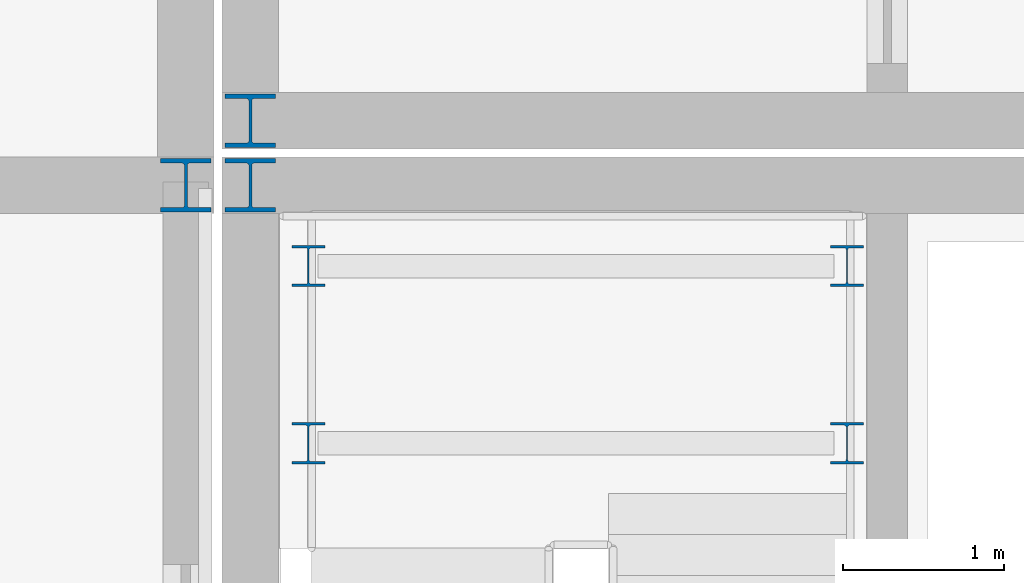
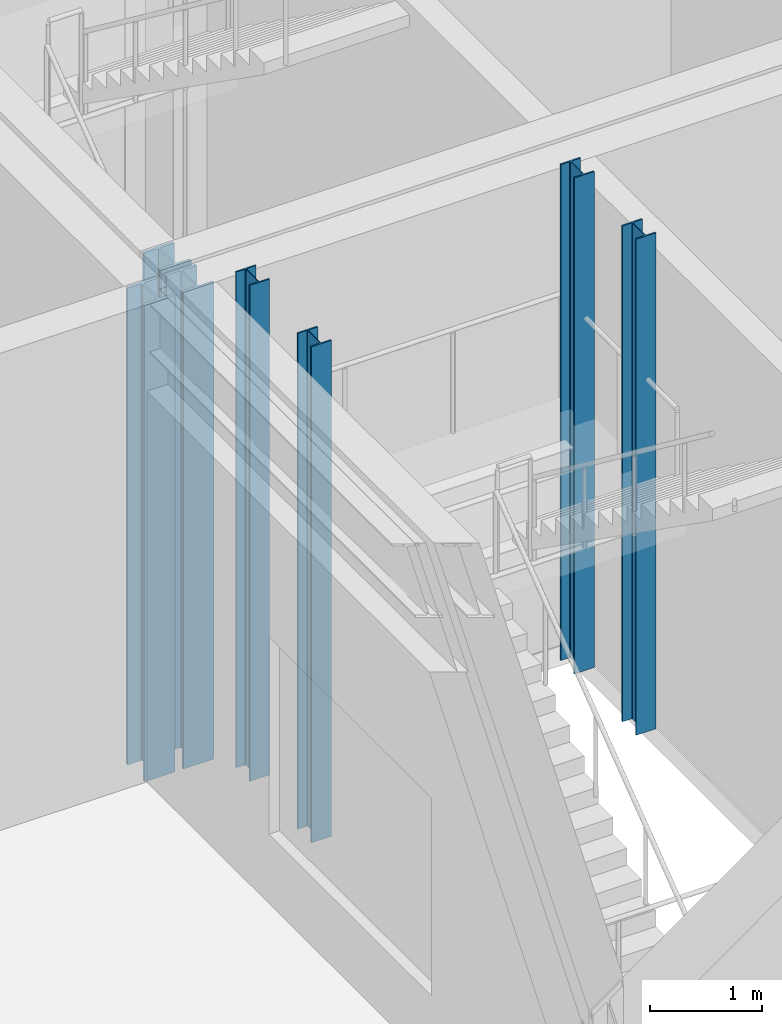
# One storey, part 10 of 94: 7 columns.
"""IFC4 building model written with IfcOpenShell, lengths in metres."""

from ifc_helpers import new_model, si_unit, direction, frame, origin, origin_2d, place, context, subcontext, project, spatial, i_section, extrude, material, material_profile, profile_set, type_object, element, save


model = new_model("IFC4")

# Units and contexts
model_context = context("Model", 3, precision=1e-05, world=origin(), true_north=direction((0.0, 1.0)))
body_context = subcontext(model_context, "Body", "Model", "MODEL_VIEW")
ifc_project = project(units=[si_unit("LENGTHUNIT", "METRE"), si_unit("AREAUNIT", "SQUARE_METRE"), si_unit("VOLUMEUNIT", "CUBIC_METRE"), si_unit("PLANEANGLEUNIT", "RADIAN"), si_unit("MASSUNIT", "GRAM", prefix="KILO")], contexts=[model_context])

# Site, building, storey
site_placement = place(None, origin())
site = spatial("IfcSite", under=ifc_project, at=site_placement, CompositionType="ELEMENT")
building_placement = place(site_placement, origin())
building = spatial("IfcBuilding", under=site, at=building_placement, Name="Zulena Civic Courthouse", CompositionType="ELEMENT")
storey_placement = place(building_placement, frame((0.0, 0.0, 5.39990234375)))
storey = spatial("IfcBuildingStorey", under=building, at=storey_placement, Name="L01", CompositionType="ELEMENT", Elevation=5.39990234375)

# Columns
ifc_material = material(Name="Steel ASTM A992 Grade 50", Category="steel")
ifc_material_profile_1 = material_profile(ifc_material, i_section(OverallWidth=0.2041015625, OverallDepth=0.257080078125, WebThickness=0.0087890625, FlangeThickness=0.015625, FilletRadius=0.0126953125, at=origin_2d()), Name="W10X45")
ifc_profile_set_1 = profile_set([ifc_material_profile_1], Name="Steel ASTM A992 Grade 50")
column_type_1 = type_object("IfcColumnType", Name="Col_W10X45", PredefinedType="COLUMN", material=ifc_profile_set_1)
for number, where, z_axis, x_axis, name in (
    (1, (124.760009765625, 28.800048828125, 0.0), (0.0, 0.0, 1.0), (1.0, 0.0, 0.0), "col:lnd:K1A:L01:0:0"),
    (2, (128.10009765625, 28.800048828125, 0.0), (0.0, 0.0, 1.0), (1.0, 0.0, 0.0), "col:lnd:K1A:L01:0:1"),
    (3, (124.760009765625, 29.89990234375, 0.0), (0.0, 0.0, 1.0), (1.0, 0.0, 0.0), "col:lnd:K1A:L01:1:0"),
    (4, (128.10009765625, 29.89990234375, 0.0), (0.0, 0.0, 1.0), (1.0, 0.0, 0.0), "col:lnd:K1A:L01:1:1"),
):
    element("IfcColumn", number, at=place(storey_placement, frame(where, z_axis=z_axis, x_axis=x_axis)), inside=storey, type_object=column_type_1, Name=name, PredefinedType="COLUMN", context=body_context, shape_type="SweptSolid", body=[
        extrude(i_section(OverallWidth=0.2041015625, OverallDepth=0.257080078125, WebThickness=0.0087890625, FlangeThickness=0.015625, FilletRadius=0.0126953125, at=origin_2d()), origin(), (0.0, 0.0, 1.0), 5.39501953125),
    ])
ifc_material_profile_2 = material_profile(ifc_material, i_section(OverallWidth=0.31298828125, OverallDepth=0.3330078125, WebThickness=0.01806640625, FlangeThickness=0.0283203125, FilletRadius=0.01513671875, at=origin_2d()), Name="W12X120")
ifc_profile_set_2 = profile_set([ifc_material_profile_2], Name="Steel ASTM A992 Grade 50")
column_type_2 = type_object("IfcColumnType", Name="Col_W12X120", PredefinedType="COLUMN", material=ifc_profile_set_2)
for number, where, z_axis, x_axis, name in (
    (5, (124.39990234375, 30.39990234375, 0.0), (0.0, 0.0, 1.0), (1.0, 0.0, 0.0), "col:V1:L01:124.4:30.4"),
    (6, (124.39990234375, 30.800048828125, 0.0), (0.0, 0.0, 1.0), (1.0, 0.0, 0.0), "col:V3:L01:124.4:30.8"),
    (7, (124.0, 30.39990234375, 0.0), (0.0, 0.0, 1.0), (1.0, 0.0, 0.0), "col:V4:L01:124.0:30.4"),
):
    element("IfcColumn", number, at=place(storey_placement, frame(where, z_axis=z_axis, x_axis=x_axis)), inside=storey, type_object=column_type_2, Name=name, PredefinedType="COLUMN", context=body_context, shape_type="SweptSolid", body=[
        extrude(i_section(OverallWidth=0.31298828125, OverallDepth=0.3330078125, WebThickness=0.01806640625, FlangeThickness=0.0283203125, FilletRadius=0.01513671875, at=origin_2d()), origin(), (0.0, 0.0, 1.0), 5.18505859375),
    ])

save(model, "model.ifc")
